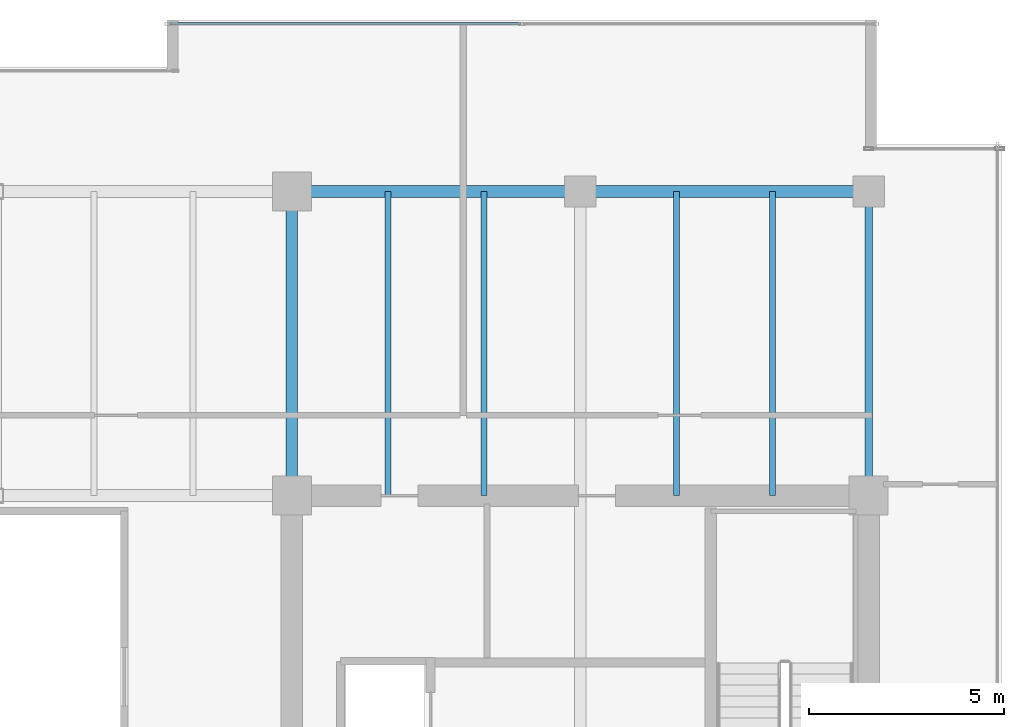
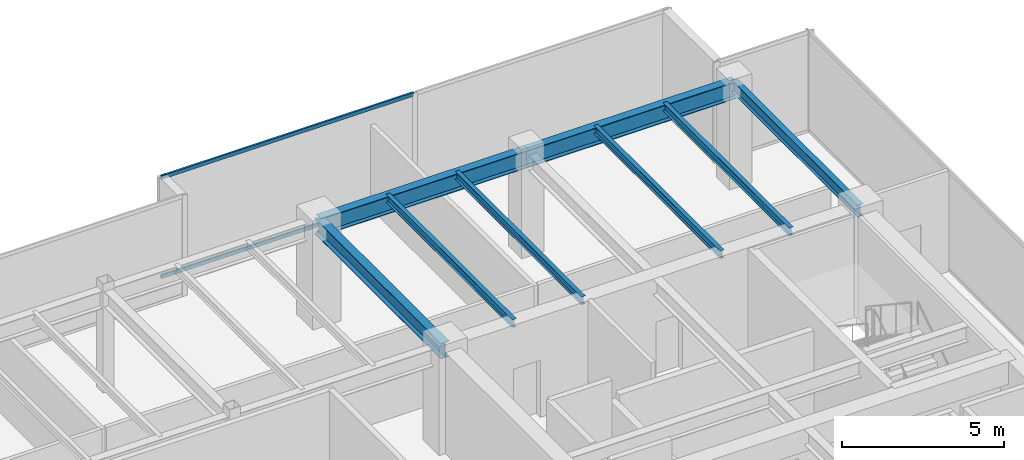
# One storey, part 20 of 33: 8 beams, 2 members, 1 element without a shape of its own.
"""IFC4 building model written with IfcOpenShell, lengths in metres."""

from ifc_helpers import new_model, si_unit, direction, frame, origin, origin_2d, place, context, subcontext, project, spatial, hollow_rectangle, i_section, extrude, source, transform, mapped, material, layer, layer_set, material_profile, profile_set, type_object, type_shapes, element, aggregate, save


model = new_model("IFC4")

# Units and contexts
model_context = context("Model", 3, precision=1e-05, world=origin(), true_north=direction((0.0, 1.0)))
body_context = subcontext(model_context, "Body", "Model", "MODEL_VIEW")
ifc_project = project(units=[si_unit("LENGTHUNIT", "METRE"), si_unit("AREAUNIT", "SQUARE_METRE"), si_unit("VOLUMEUNIT", "CUBIC_METRE"), si_unit("PLANEANGLEUNIT", "RADIAN"), si_unit("MASSUNIT", "GRAM", prefix="KILO")], contexts=[model_context])

# Site, building, storey
site_placement = place(None, origin())
site = spatial("IfcSite", under=ifc_project, at=site_placement, CompositionType="ELEMENT")
building_placement = place(site_placement, origin())
building = spatial("IfcBuilding", under=site, at=building_placement, Name="Haelvirn Gate Laboratories", CompositionType="ELEMENT")
storey_placement = place(building_placement, frame((0.0, 0.0, 217.800048828125)))
storey = spatial("IfcBuildingStorey", under=building, at=storey_placement, Name="L52", CompositionType="ELEMENT", Elevation=217.800048828125)

# Beams
ifc_material_1 = material(Name="Steel SM355", Category="steel")
ifc_material_profile_1 = material_profile(ifc_material_1, i_section(OverallWidth=0.14990234375, OverallDepth=0.300048828125, WebThickness=0.006591796875, FlangeThickness=0.009033203125, at=origin_2d()), Name="H-300x150x6.5x9")
ifc_profile_set_1 = profile_set([ifc_material_profile_1], Name="Steel SM355")
beam_type_1 = type_object("IfcBeamType", Name="BM-J-300", PredefinedType="JOIST", material=ifc_profile_set_1)
shared_shape_1 = source(origin(), body_context, "Body", "SweptSolid", [
    extrude(i_section(OverallWidth=0.14990234375, OverallDepth=0.300048828125, WebThickness=0.006591796875, FlangeThickness=0.009033203125, at=origin_2d()), origin(), (0.0, 0.0, 1.0), 7.800048828125),
])
type_shapes(beam_type_1, [shared_shape_1])
for number, where, z_axis, x_axis, name in (
    (1, (55.070068359375, 33.800048828125, 3.64990234375), (0.0, 1.0, 0.0), (-1.0, 0.0, 0.0), "L52 Composite Lab Joist North X55.07"),
    (2, (57.530029296875, 33.800048828125, 3.64990234375), (0.0, 1.0, 0.0), (-1.0, 0.0, 0.0), "L52 Composite Lab Joist North X57.53"),
    (3, (62.469970703125, 33.800048828125, 3.64990234375), (0.0, 1.0, 0.0), (-1.0, 0.0, 0.0), "L52 Composite Lab Joist North X62.47"),
    (4, (64.929931640625, 33.800048828125, 3.64990234375), (0.0, 1.0, 0.0), (-1.0, 0.0, 0.0), "L52 Composite Lab Joist North X64.93"),
):
    element("IfcBeam", number, at=place(storey_placement, frame(where, z_axis=z_axis, x_axis=x_axis)), inside=storey, type_object=beam_type_1, Name=name, PredefinedType="JOIST", context=body_context, shape_type="MappedRepresentation", body=[
        mapped(shared_shape_1, transform((0.0, 0.0, 0.0), scale=1.0)),
    ])
ifc_material_profile_2 = material_profile(ifc_material_1, i_section(OverallWidth=0.300048828125, OverallDepth=0.587890625, WebThickness=0.011962890625, FlangeThickness=0.02001953125, at=origin_2d()), Name="H-588x300x12x20")
ifc_profile_set_2 = profile_set([ifc_material_profile_2], Name="Steel SM355")
beam_type_2 = type_object("IfcBeamType", Name="BM-G-588", PredefinedType="BEAM", material=ifc_profile_set_2)
shared_shape_2 = source(origin(), body_context, "Body", "SweptSolid", [
    extrude(i_section(OverallWidth=0.300048828125, OverallDepth=0.587890625, WebThickness=0.011962890625, FlangeThickness=0.02001953125, at=origin_2d()), origin(), (0.0, 0.0, 1.0), 7.800048828125),
])
type_shapes(beam_type_2, [shared_shape_2])
beam_1_placement = place(storey_placement, frame((52.60009765625, 33.800048828125, 3.505859375), z_axis=(0.0, 1.0, 0.0), x_axis=(-1.0, 0.0, 0.0)))
element("IfcBeam", 5, at=beam_1_placement, inside=storey, type_object=beam_type_2, Name="L52 Frame Girder X52.6 (33.8-41.6)", PredefinedType="BEAM", context=body_context, shape_type="MappedRepresentation", body=[
    mapped(shared_shape_2, transform((0.0, 0.0, 0.0), scale=1.0)),
])
ifc_material_profile_3 = material_profile(ifc_material_1, i_section(OverallWidth=0.300048828125, OverallDepth=0.64990234375, WebThickness=0.012939453125, FlangeThickness=0.02197265625, at=origin_2d()), Name="H-650x300x13x22")
ifc_profile_set_3 = profile_set([ifc_material_profile_3], Name="Steel SM355")
beam_type_3 = type_object("IfcBeamType", Name="BM-G-650", PredefinedType="BEAM", material=ifc_profile_set_3)
shared_shape_3 = source(origin(), body_context, "Body", "SweptSolid", [
    extrude(i_section(OverallWidth=0.300048828125, OverallDepth=0.64990234375, WebThickness=0.012939453125, FlangeThickness=0.02197265625, at=origin_2d()), origin(), (0.0, 0.0, 1.0), 7.39990234375),
])
type_shapes(beam_type_3, [shared_shape_3])
for number, where, z_axis, x_axis, name in (
    (6, (52.60009765625, 41.60009765625, 3.474853515625), (1.0, 0.0, 0.0), (0.0, 1.0, 0.0), "L52 Primary Girder Y41.6 (52.6-60.0)"),
    (7, (60.0, 41.60009765625, 3.474853515625), (1.0, 0.0, 0.0), (0.0, 1.0, 0.0), "L52 Primary Girder Y41.6 (60.0-67.4)"),
):
    element("IfcBeam", number, at=place(storey_placement, frame(where, z_axis=z_axis, x_axis=x_axis)), inside=storey, type_object=beam_type_3, Name=name, PredefinedType="BEAM", context=body_context, shape_type="MappedRepresentation", body=[
        mapped(shared_shape_3, transform((0.0, 0.0, 0.0), scale=1.0)),
    ])
ifc_material_profile_4 = material_profile(ifc_material_1, i_section(OverallWidth=0.199951171875, OverallDepth=0.449951171875, WebThickness=0.009033203125, FlangeThickness=0.013916015625, at=origin_2d()), Name="H-450x200x9x14")
ifc_profile_set_4 = profile_set([ifc_material_profile_4], Name="Steel SM355")
beam_type_4 = type_object("IfcBeamType", Name="BM-SP-450", PredefinedType="SPANDREL", material=ifc_profile_set_4)
shared_shape_4 = source(origin(), body_context, "Body", "SweptSolid", [
    extrude(i_section(OverallWidth=0.199951171875, OverallDepth=0.449951171875, WebThickness=0.009033203125, FlangeThickness=0.013916015625, at=origin_2d()), origin(), (0.0, 0.0, 1.0), 7.800048828125),
])
type_shapes(beam_type_4, [shared_shape_4])
beam_2_placement = place(storey_placement, frame((67.39990234375, 33.800048828125, 3.574951171875), z_axis=(0.0, 1.0, 0.0), x_axis=(-1.0, 0.0, 0.0)))
element("IfcBeam", 8, at=beam_2_placement, inside=storey, type_object=beam_type_4, Name="L52 Perimeter Spandrel X67.4 (33.8-41.6)", PredefinedType="SPANDREL", context=body_context, shape_type="MappedRepresentation", body=[
    mapped(shared_shape_4, transform((0.0, 0.0, 0.0), scale=1.0)),
])

# Curtain wall, members
ifc_material_2 = material(Name="Anodised bronze unitised aluminium & triple low-E glass", Category="aluminium")
ifc_layer = layer(ifc_material_2, 0.176025390625, Name="CW-SYS-4")
ifc_layer_set = layer_set([ifc_layer], Name="Anodised bronze unitised aluminium & triple low-E glass")
curtain_wall_type = type_object("IfcCurtainWallType", Name="CW-SYS-4", PredefinedType="NOTDEFINED", material=ifc_layer_set)
curtain_wall_placement = place(storey_placement, origin())
curtain_wall = element("IfcCurtainWall", 9, at=curtain_wall_placement, inside=storey, type_object=curtain_wall_type, Name="L52 Unitised Curtain Wall CW-L52-P0-E10-1", PredefinedType="NOTDEFINED")
ifc_material_3 = material(Name="Extruded aluminium 6063-T6 (anodised bronze)", Category="aluminium")
ifc_material_profile_5 = material_profile(ifc_material_3, hollow_rectangle(XDim=0.06494140625, YDim=0.139892578125, WallThickness=0.00390625, at=origin_2d()), Name="CWT-140x65x4")
ifc_profile_set_5 = profile_set([ifc_material_profile_5], Name="Extruded aluminium 6063-T6 (anodised bronze)")
member_type = type_object("IfcMemberType", Name="CWT-T140", PredefinedType="USERDEFINED", material=ifc_profile_set_5)
shared_shape_5 = source(origin(), body_context, "Body", "SweptSolid", [
    extrude(hollow_rectangle(XDim=0.06494140625, YDim=0.139892578125, WallThickness=0.00390625, at=origin_2d()), origin(), (0.0, 0.0, 1.0), 8.9951171875),
])
type_shapes(member_type, [shared_shape_5])
member_1_placement = place(storey_placement, frame((49.469970703125, 45.89990234375, 0.032470703125), z_axis=(1.0, 0.0, 0.0), x_axis=(0.0, 1.0, 0.0)))
member_1 = element("IfcMember", 10, at=member_1_placement, type_object=member_type, Name="CW4 transom 1.1", ObjectType="TRANSOM", PredefinedType="USERDEFINED", context=body_context, shape_type="MappedRepresentation", body=[
    mapped(shared_shape_5, transform((0.0, 0.0, 0.0), scale=1.0)),
])
member_2_placement = place(storey_placement, frame((49.469970703125, 45.89990234375, 3.767333984375), z_axis=(1.0, 0.0, 0.0), x_axis=(0.0, 1.0, 0.0)))
member_2 = element("IfcMember", 11, at=member_2_placement, type_object=member_type, Name="CW4 transom 1.2", ObjectType="TRANSOM", PredefinedType="USERDEFINED", context=body_context, shape_type="MappedRepresentation", body=[
    mapped(shared_shape_5, transform((0.0, 0.0, 0.0), scale=1.0)),
])
aggregate(curtain_wall, [member_1, member_2])

save(model, "model.ifc")
